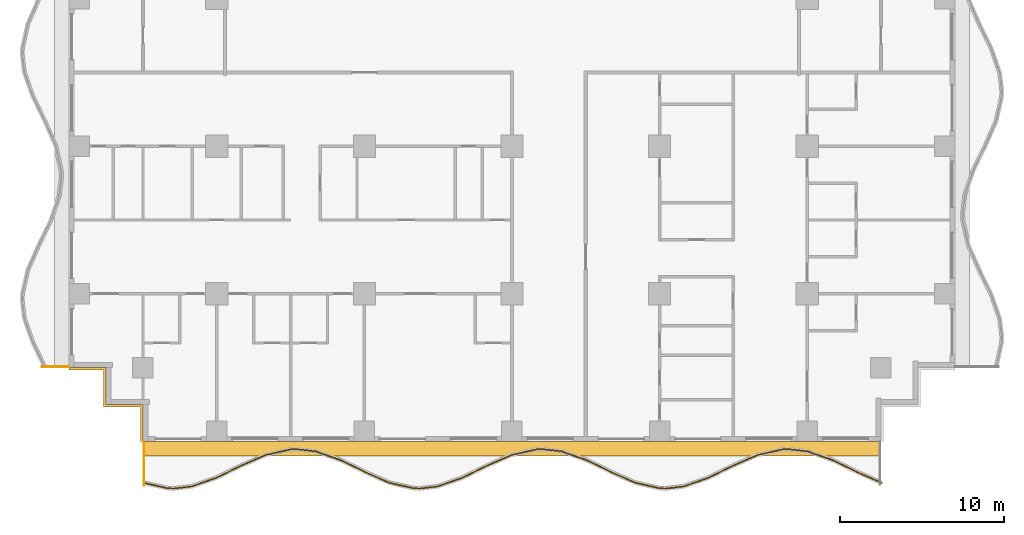
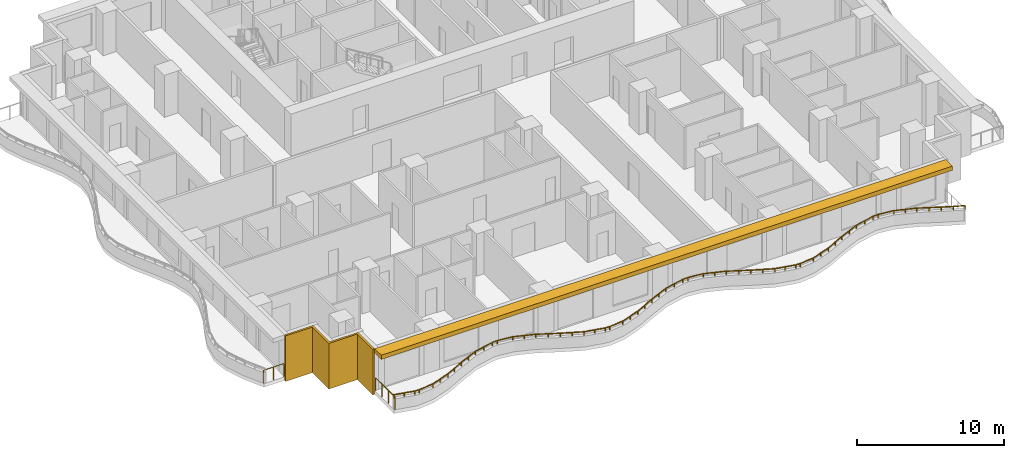
# One storey, part 8 of 14: 3 railings, 2 shading devices.
"""IFC4 building model written with IfcOpenShell, lengths in metres."""

from ifc_helpers import new_model, si_unit, direction, frame, origin, origin_2d, place, context, subcontext, project, spatial, polyline, rectangle, outline, extrude, material, layer, layer_set, type_object, element, save


model = new_model("IFC4")

# Units and contexts
model_context = context("Model", 3, precision=1e-05, world=origin(), true_north=direction((0.0, 1.0)))
body_context = subcontext(model_context, "Body", "Model", "MODEL_VIEW")
ifc_project = project(units=[si_unit("LENGTHUNIT", "METRE"), si_unit("AREAUNIT", "SQUARE_METRE"), si_unit("VOLUMEUNIT", "CUBIC_METRE"), si_unit("PLANEANGLEUNIT", "RADIAN"), si_unit("MASSUNIT", "GRAM", prefix="KILO")], contexts=[model_context])

# Site, building, storey
site_placement = place(None, origin())
site = spatial("IfcSite", under=ifc_project, at=site_placement, CompositionType="ELEMENT")
building_placement = place(site_placement, origin())
building = spatial("IfcBuilding", under=site, at=building_placement, Name="Orbiselva Terraces", CompositionType="ELEMENT")
storey_placement = place(building_placement, frame((0.0, 0.0, 111.2)))
storey = spatial("IfcBuildingStorey", under=building, at=storey_placement, Name="L28", CompositionType="ELEMENT", Elevation=111.2)

# Railings
ifc_material_1 = material(Name="Bonded two-ply safety glass balustrade, stainless steel posts", Category="steel")
railing_type_1 = type_object("IfcRailingType", Name="ENV-BALUSTRADE-1200", PredefinedType="BALUSTRADE", material=ifc_material_1)
railing_1_placement = place(storey_placement, frame((-22.472623, -25.026563, 0.9)))
element("IfcRailing", 1, at=railing_1_placement, inside=storey, type_object=railing_type_1, Name="Balcony balustrade L28 S", PredefinedType="BALUSTRADE", context=body_context, shape_type="SweptSolid", body=[
    extrude(outline(polyline([(0.028868, 0.0), (0.014434, 0.025), (-0.014434, 0.025), (-0.028868, 0.0), (-0.014434, -0.025), (0.014434, -0.025), (0.028868, 0.0)])), frame((0.0, 0.0, 0.275), z_axis=(0.975721322437, -0.21901575501, 0.0), x_axis=(0.21901575501, 0.975721322437, 0.0)), (0.0, 0.0, 1.0), 1.525954),
    extrude(outline(polyline([(0.028868, 0.0), (0.014434, 0.025), (-0.014434, 0.025), (-0.028868, 0.0), (-0.014434, -0.025), (0.014434, -0.025), (0.028868, 0.0)])), frame((1.488906, -0.334208, 0.275), z_axis=(0.999224931454, -0.039364150694, 0.0), x_axis=(0.039364150694, 0.999224931454, 0.0)), (0.0, 0.0, 1.0), 0.354206),
    extrude(outline(polyline([(0.028868, 0.0), (0.014434, 0.025), (-0.014434, 0.025), (-0.028868, 0.0), (-0.014434, -0.025), (0.014434, -0.025), (0.028868, 0.0)])), frame((1.842837, -0.348151, 0.275), z_axis=(0.993309658409, 0.115481264762, 0.0), x_axis=(-0.115481264762, 0.993309658409, 0.0)), (0.0, 0.0, 1.0), 1.10902),
    extrude(outline(polyline([(0.028868, 0.0), (0.014434, 0.025), (-0.014434, 0.025), (-0.028868, 0.0), (-0.014434, -0.025), (0.014434, -0.025), (0.028868, 0.0)])), frame((2.944437, -0.22008, 0.275), z_axis=(0.943972277814, 0.330024754707, 0.0), x_axis=(-0.330024754707, 0.943972277814, 0.0)), (0.0, 0.0, 1.0), 1.567807),
    extrude(outline(polyline([(0.028868, 0.0), (0.014434, 0.025), (-0.014434, 0.025), (-0.028868, 0.0), (-0.014434, -0.025), (0.014434, -0.025), (0.028868, 0.0)])), frame((4.424403, 0.297335, 0.275), z_axis=(0.89857890432, 0.438811978768, 0.0), x_axis=(-0.438811978768, 0.89857890432, 0.0)), (0.0, 0.0, 1.0), 1.66438),
    extrude(outline(polyline([(0.028868, 0.0), (0.014434, 0.025), (-0.014434, 0.025), (-0.028868, 0.0), (-0.014434, -0.025), (0.014434, -0.025), (0.028868, 0.0)])), frame((5.91998, 1.027685, 0.275), z_axis=(0.915133527237, 0.403150874148, 0.0), x_axis=(-0.403150874148, 0.915133527237, 0.0)), (0.0, 0.0, 1.0), 1.653736),
    extrude(outline(polyline([(0.028868, 0.0), (0.014434, 0.025), (-0.014434, 0.025), (-0.028868, 0.0), (-0.014434, -0.025), (0.014434, -0.025), (0.028868, 0.0)])), frame((7.433369, 1.69439, 0.275), z_axis=(0.97572137947, 0.219015500924, 0.0), x_axis=(-0.219015500924, 0.97572137947, 0.0)), (0.0, 0.0, 1.0), 1.560867),
    extrude(outline(polyline([(0.028868, 0.0), (0.014434, 0.025), (-0.014434, 0.025), (-0.028868, 0.0), (-0.014434, -0.025), (0.014434, -0.025), (0.028868, 0.0)])), frame((8.95634, 2.036244, 0.275), z_axis=(0.999224734286, 0.03936915532, 0.0), x_axis=(-0.03936915532, 0.999224734286, 0.0)), (0.0, 0.0, 1.0), 0.396376),
    extrude(outline(polyline([(0.028868, 0.0), (0.014434, 0.025), (-0.014434, 0.025), (-0.028868, 0.0), (-0.014434, -0.025), (0.014434, -0.025), (0.028868, 0.0)])), frame((9.352409, 2.051849, 0.275), z_axis=(0.993309551734, -0.115482182324, 0.0), x_axis=(0.115482182324, 0.993309551734, 0.0)), (0.0, 0.0, 1.0), 1.156135),
    extrude(outline(polyline([(0.028868, 0.0), (0.014434, 0.025), (-0.014434, 0.025), (-0.028868, 0.0), (-0.014434, -0.025), (0.014434, -0.025), (0.028868, 0.0)])), frame((10.500809, 1.918336, 0.275), z_axis=(0.943972332783, -0.330024597479, 0.0), x_axis=(0.330024597479, 0.943972332783, 0.0)), (0.0, 0.0, 1.0), 1.610253),
    extrude(outline(polyline([(0.028868, 0.0), (0.014434, 0.025), (-0.014434, 0.025), (-0.028868, 0.0), (-0.014434, -0.025), (0.014434, -0.025), (0.028868, 0.0)])), frame((12.020843, 1.386913, 0.275), z_axis=(0.898578870221, -0.438812048596, 0.0), x_axis=(0.438812048596, 0.898578870221, 0.0)), (0.0, 0.0, 1.0), 1.674225),
    extrude(outline(polyline([(0.028868, 0.0), (0.014434, 0.025), (-0.014434, 0.025), (-0.028868, 0.0), (-0.014434, -0.025), (0.014434, -0.025), (0.028868, 0.0)])), frame((13.525266, 0.652243, 0.275), z_axis=(0.915133363686, -0.403151245402, 0.0), x_axis=(0.403151245402, 0.915133363686, 0.0)), (0.0, 0.0, 1.0), 1.624475),
    extrude(outline(polyline([(0.028868, 0.0), (0.014434, 0.025), (-0.014434, 0.025), (-0.028868, 0.0), (-0.014434, -0.025), (0.014434, -0.025), (0.028868, 0.0)])), frame((15.011877, -0.002666, 0.275), z_axis=(0.975721325753, -0.219015740235, 0.0), x_axis=(0.219015740235, 0.975721325753, 0.0)), (0.0, 0.0, 1.0), 1.513782),
    extrude(outline(polyline([(0.028868, 0.0), (0.014434, 0.025), (-0.014434, 0.025), (-0.028868, 0.0), (-0.014434, -0.025), (0.014434, -0.025), (0.028868, 0.0)])), frame((16.488906, -0.334208, 0.275), z_axis=(0.999224931454, -0.039364150694, 0.0), x_axis=(0.039364150694, 0.999224931454, 0.0)), (0.0, 0.0, 1.0), 0.354206),
    extrude(outline(polyline([(0.028868, 0.0), (0.014434, 0.025), (-0.014434, 0.025), (-0.028868, 0.0), (-0.014434, -0.025), (0.014434, -0.025), (0.028868, 0.0)])), frame((16.842837, -0.348151, 0.275), z_axis=(0.993309658409, 0.115481264762, 0.0), x_axis=(-0.115481264762, 0.993309658409, 0.0)), (0.0, 0.0, 1.0), 1.10902),
    extrude(outline(polyline([(0.028868, 0.0), (0.014434, 0.025), (-0.014434, 0.025), (-0.028868, 0.0), (-0.014434, -0.025), (0.014434, -0.025), (0.028868, 0.0)])), frame((17.944437, -0.22008, 0.275), z_axis=(0.943972277814, 0.330024754707, 0.0), x_axis=(-0.330024754707, 0.943972277814, 0.0)), (0.0, 0.0, 1.0), 1.567807),
    extrude(outline(polyline([(0.028868, 0.0), (0.014434, 0.025), (-0.014434, 0.025), (-0.028868, 0.0), (-0.014434, -0.025), (0.014434, -0.025), (0.028868, 0.0)])), frame((19.424403, 0.297335, 0.275), z_axis=(0.89857890432, 0.438811978768, 0.0), x_axis=(-0.438811978768, 0.89857890432, 0.0)), (0.0, 0.0, 1.0), 1.66438),
    extrude(outline(polyline([(0.028868, 0.0), (0.014434, 0.025), (-0.014434, 0.025), (-0.028868, 0.0), (-0.014434, -0.025), (0.014434, -0.025), (0.028868, 0.0)])), frame((20.91998, 1.027685, 0.275), z_axis=(0.915133527237, 0.403150874148, 0.0), x_axis=(-0.403150874148, 0.915133527237, 0.0)), (0.0, 0.0, 1.0), 1.653736),
    extrude(outline(polyline([(0.028868, 0.0), (0.014434, 0.025), (-0.014434, 0.025), (-0.028868, 0.0), (-0.014434, -0.025), (0.014434, -0.025), (0.028868, 0.0)])), frame((22.433369, 1.69439, 0.275), z_axis=(0.97572137947, 0.219015500924, 0.0), x_axis=(-0.219015500924, 0.97572137947, 0.0)), (0.0, 0.0, 1.0), 1.560867),
    extrude(outline(polyline([(0.028868, 0.0), (0.014434, 0.025), (-0.014434, 0.025), (-0.028868, 0.0), (-0.014434, -0.025), (0.014434, -0.025), (0.028868, 0.0)])), frame((23.95634, 2.036244, 0.275), z_axis=(0.999224734286, 0.03936915532, 0.0), x_axis=(-0.03936915532, 0.999224734286, 0.0)), (0.0, 0.0, 1.0), 0.396376),
    extrude(outline(polyline([(0.028868, 0.0), (0.014434, 0.025), (-0.014434, 0.025), (-0.028868, 0.0), (-0.014434, -0.025), (0.014434, -0.025), (0.028868, 0.0)])), frame((24.352409, 2.051849, 0.275), z_axis=(0.993309551734, -0.115482182324, 0.0), x_axis=(0.115482182324, 0.993309551734, 0.0)), (0.0, 0.0, 1.0), 1.156135),
    extrude(outline(polyline([(0.028868, 0.0), (0.014434, 0.025), (-0.014434, 0.025), (-0.028868, 0.0), (-0.014434, -0.025), (0.014434, -0.025), (0.028868, 0.0)])), frame((25.500809, 1.918336, 0.275), z_axis=(0.943972332783, -0.330024597479, 0.0), x_axis=(0.330024597479, 0.943972332783, 0.0)), (0.0, 0.0, 1.0), 1.610253),
    extrude(outline(polyline([(0.028868, 0.0), (0.014434, 0.025), (-0.014434, 0.025), (-0.028868, 0.0), (-0.014434, -0.025), (0.014434, -0.025), (0.028868, 0.0)])), frame((27.020843, 1.386913, 0.275), z_axis=(0.898578870221, -0.438812048596, 0.0), x_axis=(0.438812048596, 0.898578870221, 0.0)), (0.0, 0.0, 1.0), 1.674225),
    extrude(outline(polyline([(0.028868, 0.0), (0.014434, 0.025), (-0.014434, 0.025), (-0.028868, 0.0), (-0.014434, -0.025), (0.014434, -0.025), (0.028868, 0.0)])), frame((28.525266, 0.652243, 0.275), z_axis=(0.915133363686, -0.403151245402, 0.0), x_axis=(0.403151245402, 0.915133363686, 0.0)), (0.0, 0.0, 1.0), 1.624475),
    extrude(outline(polyline([(0.028868, 0.0), (0.014434, 0.025), (-0.014434, 0.025), (-0.028868, 0.0), (-0.014434, -0.025), (0.014434, -0.025), (0.028868, 0.0)])), frame((30.011877, -0.002666, 0.275), z_axis=(0.975721325753, -0.219015740235, 0.0), x_axis=(0.219015740235, 0.975721325753, 0.0)), (0.0, 0.0, 1.0), 1.513782),
    extrude(outline(polyline([(0.028868, 0.0), (0.014434, 0.025), (-0.014434, 0.025), (-0.028868, 0.0), (-0.014434, -0.025), (0.014434, -0.025), (0.028868, 0.0)])), frame((31.488906, -0.334208, 0.275), z_axis=(0.999224931454, -0.039364150694, 0.0), x_axis=(0.039364150694, 0.999224931454, 0.0)), (0.0, 0.0, 1.0), 0.354206),
    extrude(outline(polyline([(0.028868, 0.0), (0.014434, 0.025), (-0.014434, 0.025), (-0.028868, 0.0), (-0.014434, -0.025), (0.014434, -0.025), (0.028868, 0.0)])), frame((31.842837, -0.348151, 0.275), z_axis=(0.993309658409, 0.115481264762, 0.0), x_axis=(-0.115481264762, 0.993309658409, 0.0)), (0.0, 0.0, 1.0), 1.10902),
    extrude(outline(polyline([(0.028868, 0.0), (0.014434, 0.025), (-0.014434, 0.025), (-0.028868, 0.0), (-0.014434, -0.025), (0.014434, -0.025), (0.028868, 0.0)])), frame((32.944437, -0.22008, 0.275), z_axis=(0.943972277814, 0.330024754707, 0.0), x_axis=(-0.330024754707, 0.943972277814, 0.0)), (0.0, 0.0, 1.0), 1.567807),
    extrude(outline(polyline([(0.028868, 0.0), (0.014434, 0.025), (-0.014434, 0.025), (-0.028868, 0.0), (-0.014434, -0.025), (0.014434, -0.025), (0.028868, 0.0)])), frame((34.424403, 0.297335, 0.275), z_axis=(0.89857890432, 0.438811978768, 0.0), x_axis=(-0.438811978768, 0.89857890432, 0.0)), (0.0, 0.0, 1.0), 1.66438),
    extrude(outline(polyline([(0.028868, 0.0), (0.014434, 0.025), (-0.014434, 0.025), (-0.028868, 0.0), (-0.014434, -0.025), (0.014434, -0.025), (0.028868, 0.0)])), frame((35.91998, 1.027685, 0.275), z_axis=(0.915133527237, 0.403150874148, 0.0), x_axis=(-0.403150874148, 0.915133527237, 0.0)), (0.0, 0.0, 1.0), 1.653736),
    extrude(outline(polyline([(0.028868, 0.0), (0.014434, 0.025), (-0.014434, 0.025), (-0.028868, 0.0), (-0.014434, -0.025), (0.014434, -0.025), (0.028868, 0.0)])), frame((37.433369, 1.69439, 0.275), z_axis=(0.97572137947, 0.219015500924, 0.0), x_axis=(-0.219015500924, 0.97572137947, 0.0)), (0.0, 0.0, 1.0), 1.560867),
    extrude(outline(polyline([(0.028868, 0.0), (0.014434, 0.025), (-0.014434, 0.025), (-0.028868, 0.0), (-0.014434, -0.025), (0.014434, -0.025), (0.028868, 0.0)])), frame((38.95634, 2.036244, 0.275), z_axis=(0.999224734286, 0.03936915532, 0.0), x_axis=(-0.03936915532, 0.999224734286, 0.0)), (0.0, 0.0, 1.0), 0.396376),
    extrude(outline(polyline([(0.028868, 0.0), (0.014434, 0.025), (-0.014434, 0.025), (-0.028868, 0.0), (-0.014434, -0.025), (0.014434, -0.025), (0.028868, 0.0)])), frame((39.352409, 2.051849, 0.275), z_axis=(0.993309551734, -0.115482182324, 0.0), x_axis=(0.115482182324, 0.993309551734, 0.0)), (0.0, 0.0, 1.0), 1.156135),
    extrude(outline(polyline([(0.028868, 0.0), (0.014434, 0.025), (-0.014434, 0.025), (-0.028868, 0.0), (-0.014434, -0.025), (0.014434, -0.025), (0.028868, 0.0)])), frame((40.500809, 1.918336, 0.275), z_axis=(0.943972332783, -0.330024597479, 0.0), x_axis=(0.330024597479, 0.943972332783, 0.0)), (0.0, 0.0, 1.0), 1.610253),
    extrude(outline(polyline([(0.028868, 0.0), (0.014434, 0.025), (-0.014434, 0.025), (-0.028868, 0.0), (-0.014434, -0.025), (0.014434, -0.025), (0.028868, 0.0)])), frame((42.020843, 1.386913, 0.275), z_axis=(0.898578870221, -0.438812048596, 0.0), x_axis=(0.438812048596, 0.898578870221, 0.0)), (0.0, 0.0, 1.0), 1.674225),
    extrude(outline(polyline([(0.028868, 0.0), (0.014434, 0.025), (-0.014434, 0.025), (-0.028868, 0.0), (-0.014434, -0.025), (0.014434, -0.025), (0.028868, 0.0)])), frame((43.525266, 0.652243, 0.275), z_axis=(0.915133498047, -0.403150940408, 0.0), x_axis=(0.403150940408, 0.915133498047, 0.0)), (0.0, 0.0, 1.0), 1.636648),
    extrude(rectangle(XDim=0.05, YDim=0.05, at=origin_2d()), origin(), (0.0, 0.0, 1.0), 0.25),
    extrude(rectangle(XDim=0.05, YDim=0.05, at=origin_2d()), frame((0.744453, -0.167104, 0.0)), (0.0, 0.0, 1.0), 0.25),
    extrude(rectangle(XDim=0.05, YDim=0.05, at=origin_2d()), frame((1.488906, -0.334208, 0.0)), (0.0, 0.0, 1.0), 0.25),
    extrude(rectangle(XDim=0.05, YDim=0.05, at=origin_2d()), frame((1.842837, -0.348151, 0.0)), (0.0, 0.0, 1.0), 0.25),
    extrude(rectangle(XDim=0.05, YDim=0.05, at=origin_2d()), frame((2.944437, -0.22008, 0.0)), (0.0, 0.0, 1.0), 0.25),
    extrude(rectangle(XDim=0.05, YDim=0.05, at=origin_2d()), frame((3.68442, 0.038628, 0.0)), (0.0, 0.0, 1.0), 0.25),
    extrude(rectangle(XDim=0.05, YDim=0.05, at=origin_2d()), frame((4.424403, 0.297335, 0.0)), (0.0, 0.0, 1.0), 0.25),
    extrude(rectangle(XDim=0.05, YDim=0.05, at=origin_2d()), frame((5.172191, 0.66251, 0.0)), (0.0, 0.0, 1.0), 0.25),
    extrude(rectangle(XDim=0.05, YDim=0.05, at=origin_2d()), frame((5.91998, 1.027685, 0.0)), (0.0, 0.0, 1.0), 0.25),
    extrude(rectangle(XDim=0.05, YDim=0.05, at=origin_2d()), frame((6.676674, 1.361037, 0.0)), (0.0, 0.0, 1.0), 0.25),
    extrude(rectangle(XDim=0.05, YDim=0.05, at=origin_2d()), frame((7.433369, 1.69439, 0.0)), (0.0, 0.0, 1.0), 0.25),
    extrude(rectangle(XDim=0.05, YDim=0.05, at=origin_2d()), frame((8.194854, 1.865317, 0.0)), (0.0, 0.0, 1.0), 0.25),
    extrude(rectangle(XDim=0.05, YDim=0.05, at=origin_2d()), frame((8.95634, 2.036244, 0.0)), (0.0, 0.0, 1.0), 0.25),
    extrude(rectangle(XDim=0.05, YDim=0.05, at=origin_2d()), frame((9.352409, 2.051849, 0.0)), (0.0, 0.0, 1.0), 0.25),
    extrude(rectangle(XDim=0.05, YDim=0.05, at=origin_2d()), frame((10.500809, 1.918336, 0.0)), (0.0, 0.0, 1.0), 0.25),
    extrude(rectangle(XDim=0.05, YDim=0.05, at=origin_2d()), frame((11.260826, 1.652624, 0.0)), (0.0, 0.0, 1.0), 0.25),
    extrude(rectangle(XDim=0.05, YDim=0.05, at=origin_2d()), frame((12.020843, 1.386913, 0.0)), (0.0, 0.0, 1.0), 0.25),
    extrude(rectangle(XDim=0.05, YDim=0.05, at=origin_2d()), frame((12.773054, 1.019578, 0.0)), (0.0, 0.0, 1.0), 0.25),
    extrude(rectangle(XDim=0.05, YDim=0.05, at=origin_2d()), frame((13.525266, 0.652243, 0.0)), (0.0, 0.0, 1.0), 0.25),
    extrude(rectangle(XDim=0.05, YDim=0.05, at=origin_2d()), frame((14.268571, 0.324788, 0.0)), (0.0, 0.0, 1.0), 0.25),
    extrude(rectangle(XDim=0.05, YDim=0.05, at=origin_2d()), frame((15.011877, -0.002666, 0.0)), (0.0, 0.0, 1.0), 0.25),
    extrude(rectangle(XDim=0.05, YDim=0.05, at=origin_2d()), frame((15.750392, -0.168437, 0.0)), (0.0, 0.0, 1.0), 0.25),
    extrude(rectangle(XDim=0.05, YDim=0.05, at=origin_2d()), frame((16.488906, -0.334208, 0.0)), (0.0, 0.0, 1.0), 0.25),
    extrude(rectangle(XDim=0.05, YDim=0.05, at=origin_2d()), frame((16.842837, -0.348151, 0.0)), (0.0, 0.0, 1.0), 0.25),
    extrude(rectangle(XDim=0.05, YDim=0.05, at=origin_2d()), frame((17.944437, -0.22008, 0.0)), (0.0, 0.0, 1.0), 0.25),
    extrude(rectangle(XDim=0.05, YDim=0.05, at=origin_2d()), frame((18.68442, 0.038628, 0.0)), (0.0, 0.0, 1.0), 0.25),
    extrude(rectangle(XDim=0.05, YDim=0.05, at=origin_2d()), frame((19.424403, 0.297335, 0.0)), (0.0, 0.0, 1.0), 0.25),
    extrude(rectangle(XDim=0.05, YDim=0.05, at=origin_2d()), frame((20.172191, 0.66251, 0.0)), (0.0, 0.0, 1.0), 0.25),
    extrude(rectangle(XDim=0.05, YDim=0.05, at=origin_2d()), frame((20.91998, 1.027685, 0.0)), (0.0, 0.0, 1.0), 0.25),
    extrude(rectangle(XDim=0.05, YDim=0.05, at=origin_2d()), frame((21.676674, 1.361037, 0.0)), (0.0, 0.0, 1.0), 0.25),
    extrude(rectangle(XDim=0.05, YDim=0.05, at=origin_2d()), frame((22.433369, 1.69439, 0.0)), (0.0, 0.0, 1.0), 0.25),
    extrude(rectangle(XDim=0.05, YDim=0.05, at=origin_2d()), frame((23.194854, 1.865317, 0.0)), (0.0, 0.0, 1.0), 0.25),
    extrude(rectangle(XDim=0.05, YDim=0.05, at=origin_2d()), frame((23.95634, 2.036244, 0.0)), (0.0, 0.0, 1.0), 0.25),
    extrude(rectangle(XDim=0.05, YDim=0.05, at=origin_2d()), frame((24.352409, 2.051849, 0.0)), (0.0, 0.0, 1.0), 0.25),
    extrude(rectangle(XDim=0.05, YDim=0.05, at=origin_2d()), frame((25.500809, 1.918336, 0.0)), (0.0, 0.0, 1.0), 0.25),
    extrude(rectangle(XDim=0.05, YDim=0.05, at=origin_2d()), frame((26.260826, 1.652624, 0.0)), (0.0, 0.0, 1.0), 0.25),
    extrude(rectangle(XDim=0.05, YDim=0.05, at=origin_2d()), frame((27.020843, 1.386913, 0.0)), (0.0, 0.0, 1.0), 0.25),
    extrude(rectangle(XDim=0.05, YDim=0.05, at=origin_2d()), frame((27.773054, 1.019578, 0.0)), (0.0, 0.0, 1.0), 0.25),
    extrude(rectangle(XDim=0.05, YDim=0.05, at=origin_2d()), frame((28.525266, 0.652243, 0.0)), (0.0, 0.0, 1.0), 0.25),
    extrude(rectangle(XDim=0.05, YDim=0.05, at=origin_2d()), frame((29.268572, 0.324788, 0.0)), (0.0, 0.0, 1.0), 0.25),
    extrude(rectangle(XDim=0.05, YDim=0.05, at=origin_2d()), frame((30.011877, -0.002666, 0.0)), (0.0, 0.0, 1.0), 0.25),
    extrude(rectangle(XDim=0.05, YDim=0.05, at=origin_2d()), frame((30.750392, -0.168437, 0.0)), (0.0, 0.0, 1.0), 0.25),
    extrude(rectangle(XDim=0.05, YDim=0.05, at=origin_2d()), frame((31.488906, -0.334208, 0.0)), (0.0, 0.0, 1.0), 0.25),
    extrude(rectangle(XDim=0.05, YDim=0.05, at=origin_2d()), frame((31.842837, -0.348151, 0.0)), (0.0, 0.0, 1.0), 0.25),
    extrude(rectangle(XDim=0.05, YDim=0.05, at=origin_2d()), frame((32.944437, -0.22008, 0.0)), (0.0, 0.0, 1.0), 0.25),
    extrude(rectangle(XDim=0.05, YDim=0.05, at=origin_2d()), frame((33.68442, 0.038628, 0.0)), (0.0, 0.0, 1.0), 0.25),
    extrude(rectangle(XDim=0.05, YDim=0.05, at=origin_2d()), frame((34.424403, 0.297335, 0.0)), (0.0, 0.0, 1.0), 0.25),
    extrude(rectangle(XDim=0.05, YDim=0.05, at=origin_2d()), frame((35.172192, 0.66251, 0.0)), (0.0, 0.0, 1.0), 0.25),
    extrude(rectangle(XDim=0.05, YDim=0.05, at=origin_2d()), frame((35.91998, 1.027685, 0.0)), (0.0, 0.0, 1.0), 0.25),
    extrude(rectangle(XDim=0.05, YDim=0.05, at=origin_2d()), frame((36.676674, 1.361037, 0.0)), (0.0, 0.0, 1.0), 0.25),
    extrude(rectangle(XDim=0.05, YDim=0.05, at=origin_2d()), frame((37.433369, 1.69439, 0.0)), (0.0, 0.0, 1.0), 0.25),
    extrude(rectangle(XDim=0.05, YDim=0.05, at=origin_2d()), frame((38.194854, 1.865317, 0.0)), (0.0, 0.0, 1.0), 0.25),
    extrude(rectangle(XDim=0.05, YDim=0.05, at=origin_2d()), frame((38.95634, 2.036244, 0.0)), (0.0, 0.0, 1.0), 0.25),
    extrude(rectangle(XDim=0.05, YDim=0.05, at=origin_2d()), frame((39.352409, 2.051849, 0.0)), (0.0, 0.0, 1.0), 0.25),
    extrude(rectangle(XDim=0.05, YDim=0.05, at=origin_2d()), frame((40.500809, 1.918336, 0.0)), (0.0, 0.0, 1.0), 0.25),
    extrude(rectangle(XDim=0.05, YDim=0.05, at=origin_2d()), frame((41.260826, 1.652624, 0.0)), (0.0, 0.0, 1.0), 0.25),
    extrude(rectangle(XDim=0.05, YDim=0.05, at=origin_2d()), frame((42.020843, 1.386913, 0.0)), (0.0, 0.0, 1.0), 0.25),
    extrude(rectangle(XDim=0.05, YDim=0.05, at=origin_2d()), frame((42.773054, 1.019578, 0.0)), (0.0, 0.0, 1.0), 0.25),
    extrude(rectangle(XDim=0.05, YDim=0.05, at=origin_2d()), frame((43.525266, 0.652243, 0.0)), (0.0, 0.0, 1.0), 0.25),
    extrude(rectangle(XDim=0.05, YDim=0.05, at=origin_2d()), frame((44.274142, 0.322335, 0.0)), (0.0, 0.0, 1.0), 0.25),
    extrude(rectangle(XDim=0.05, YDim=0.05, at=origin_2d()), frame((45.023017, -0.007573, 0.0)), (0.0, 0.0, 1.0), 0.25),
])
ifc_material_2 = material(Name="Stainless steel rail and posts", Category="steel")
railing_type_2 = type_object("IfcRailingType", Name="ENV-GUARD-1105", PredefinedType="BALUSTRADE", material=ifc_material_2)
railing_2_placement = place(storey_placement, frame((-22.44, -25.169584, 0.0)))
element("IfcRailing", 2, at=railing_2_placement, inside=storey, type_object=railing_type_2, Name="Balcony end guard L28 S", PredefinedType="BALUSTRADE", context=body_context, shape_type="SweptSolid", body=[
    extrude(outline(polyline([(0.028868, 0.0), (0.014434, 0.025), (-0.014434, 0.025), (-0.028868, 0.0), (-0.014434, -0.025), (0.014434, -0.025), (0.028868, 0.0)])), frame((0.0, 0.0, 1.08), z_axis=(0.0, 1.0, 0.0), x_axis=(-1.0, 0.0, 0.0)), (0.0, 0.0, 1.0), 2.644584),
    extrude(rectangle(XDim=0.05, YDim=0.05, at=origin_2d()), origin(), (0.0, 0.0, 1.0), 1.055),
    extrude(rectangle(XDim=0.05, YDim=0.05, at=origin_2d()), frame((0.0, 0.881528, 0.0)), (0.0, 0.0, 1.0), 1.055),
    extrude(rectangle(XDim=0.05, YDim=0.05, at=origin_2d()), frame((0.0, 1.763056, 0.0)), (0.0, 0.0, 1.0), 1.055),
    extrude(rectangle(XDim=0.05, YDim=0.05, at=origin_2d()), frame((0.0, 2.644584, 0.0)), (0.0, 0.0, 1.0), 1.055),
])
railing_3_placement = place(storey_placement, frame((-28.642123, -17.94, 0.0)))
element("IfcRailing", 3, at=railing_3_placement, inside=storey, type_object=railing_type_2, Name="Balcony end guard L28 W", PredefinedType="BALUSTRADE", context=body_context, shape_type="SweptSolid", body=[
    extrude(outline(polyline([(0.028868, 0.0), (0.014434, 0.025), (-0.014434, 0.025), (-0.028868, 0.0), (-0.014434, -0.025), (0.014434, -0.025), (0.028868, 0.0)])), frame((0.0, 0.0, 1.08), z_axis=(1.0, 0.0, 0.0), x_axis=(0.0, 1.0, 0.0)), (0.0, 0.0, 1.0), 1.617123),
    extrude(rectangle(XDim=0.05, YDim=0.05, at=origin_2d()), origin(), (0.0, 0.0, 1.0), 1.055),
    extrude(rectangle(XDim=0.05, YDim=0.05, at=origin_2d()), frame((0.808562, 0.0, 0.0)), (0.0, 0.0, 1.0), 1.055),
    extrude(rectangle(XDim=0.05, YDim=0.05, at=origin_2d()), frame((1.617123, 0.0, 0.0)), (0.0, 0.0, 1.0), 1.055),
])

# Shading devices
ifc_material_3 = material(Name="Terracotta louvre screen", Category="masonry")
ifc_layer_1 = layer(ifc_material_3, 0.15)
ifc_layer_set_1 = layer_set([ifc_layer_1], Name="Terracotta louvre screen")
shading_device_type_1 = type_object("IfcShadingDeviceType", Name="ENV-SCREEN-150", PredefinedType="USERDEFINED", material=ifc_layer_set_1)
shading_device_1_placement = place(storey_placement, frame((0.0, 0.0, -0.3)))
element("IfcShadingDevice", 4, at=shading_device_1_placement, inside=storey, type_object=shading_device_type_1, Name="Louvre screen L28 SW", ObjectType="SCREEN", PredefinedType="USERDEFINED", context=body_context, shape_type="SweptSolid", body=[
    extrude(outline(polyline([(-27.0, -18.15), (-24.9, -18.15), (-24.9, -20.4), (-22.65, -20.4), (-22.65, -22.5), (-22.5, -22.5), (-22.5, -20.25), (-24.75, -20.25), (-24.75, -18.0), (-27.0, -18.0), (-27.0, -18.15)])), origin(), (0.0, 0.0, 1.0), 3.8),
])
ifc_material_4 = material(Name="Terracotta baguette sunshade", Category="masonry")
ifc_layer_2 = layer(ifc_material_4, 0.35)
ifc_layer_set_2 = layer_set([ifc_layer_2], Name="Terracotta baguette sunshade")
shading_device_type_2 = type_object("IfcShadingDeviceType", Name="ENV-SUNSHADE-900x350", PredefinedType="USERDEFINED", material=ifc_layer_set_2)
shading_device_2_placement = place(storey_placement, frame((0.0, 0.0, 3.15)))
element("IfcShadingDevice", 5, at=shading_device_2_placement, inside=storey, type_object=shading_device_type_2, Name="Sunshade band L28 S", ObjectType="SUNSHADE", PredefinedType="USERDEFINED", context=body_context, shape_type="SweptSolid", body=[
    extrude(outline(polyline([(-22.5, -23.4), (22.5, -23.4), (22.5, -22.5), (-22.5, -22.5), (-22.5, -23.4)])), origin(), (0.0, 0.0, 1.0), 0.35),
])

save(model, "model.ifc")
